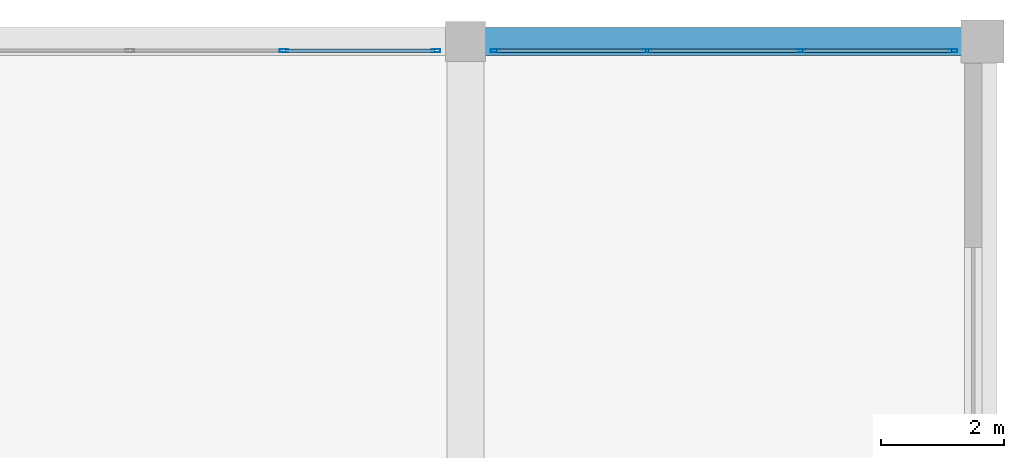
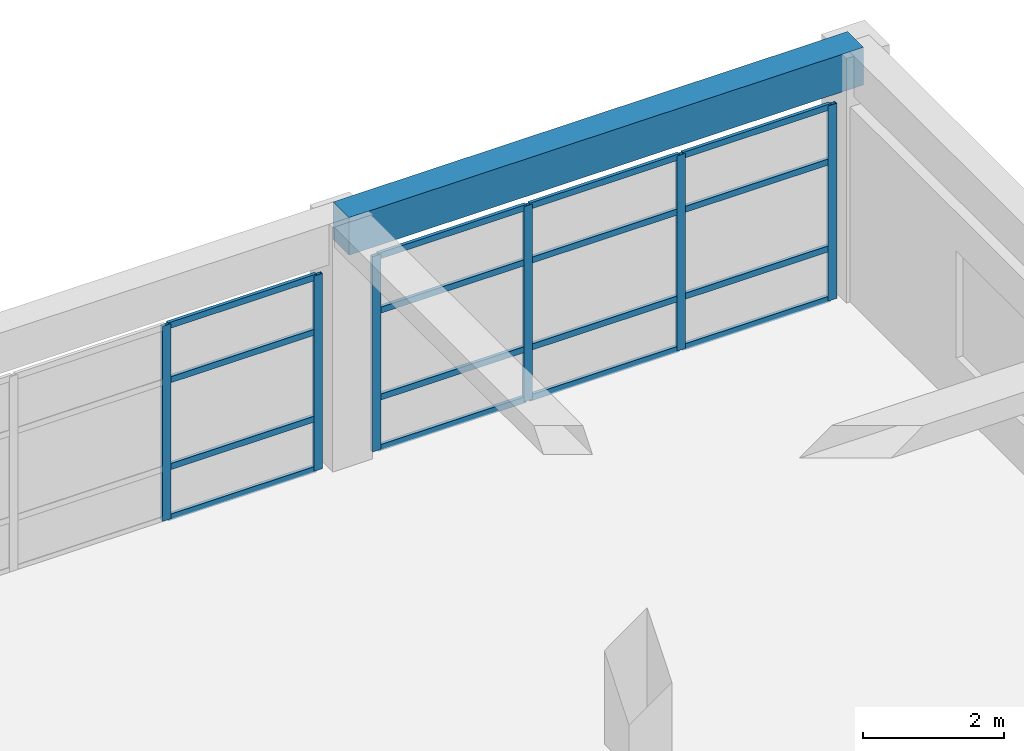
# One storey, part 64 of 85: 22 members, 1 beam, 2 elements without a shape of their own.
"""IFC4 building model written with IfcOpenShell, lengths in metres."""

from ifc_helpers import new_model, si_unit, direction, frame, origin, origin_2d, place, context, subcontext, project, spatial, rectangle, hollow_rectangle, extrude, material, material_profile, profile_set, type_object, element, aggregate, save


model = new_model("IFC4")

# Units and contexts
model_context = context("Model", 3, precision=1e-05, world=origin(), true_north=direction((0.0, 1.0)))
body_context = subcontext(model_context, "Body", "Model", "MODEL_VIEW")
ifc_project = project(units=[si_unit("LENGTHUNIT", "METRE"), si_unit("AREAUNIT", "SQUARE_METRE"), si_unit("VOLUMEUNIT", "CUBIC_METRE"), si_unit("PLANEANGLEUNIT", "RADIAN"), si_unit("MASSUNIT", "GRAM", prefix="KILO")], contexts=[model_context])

# Site, building, storey
site_placement = place(None, origin())
site = spatial("IfcSite", under=ifc_project, at=site_placement, CompositionType="ELEMENT")
building_placement = place(site_placement, origin())
building = spatial("IfcBuilding", under=site, at=building_placement, Name="Almacenes y Pasaje Nevantli", CompositionType="ELEMENT")
storey_placement = place(building_placement, frame((0.0, 0.0, 22.199951171875)))
storey = spatial("IfcBuildingStorey", under=building, at=storey_placement, Name="L05", CompositionType="ELEMENT", Elevation=22.199951171875)

# Beam
ifc_material_1 = material(Name="Concrete C35/45", Category="concrete")
ifc_material_profile_1 = material_profile(ifc_material_1, rectangle(XDim=0.449951171875, YDim=0.64990234375, at=origin_2d()), Name="RC-BM-450x650")
ifc_profile_set_1 = profile_set([ifc_material_profile_1], Name="Concrete C35/45")
beam_type = type_object("IfcBeamType", Name="BM-RC-450x650", PredefinedType="SPANDREL", material=ifc_profile_set_1)
beam_placement = place(storey_placement, frame((159.60009765625, 117.60009765625, 3.89501953125), z_axis=(1.0, 0.0, 0.0), x_axis=(0.0, 1.0, 0.0)))
element("IfcBeam", 1, at=beam_placement, inside=storey, type_object=beam_type, Name="L05 East-West Reinforced Concrete Beam #3421", PredefinedType="SPANDREL", context=body_context, shape_type="SweptSolid", body=[
    extrude(rectangle(XDim=0.449951171875, YDim=0.64990234375, at=origin_2d()), origin(), (0.0, 0.0, 1.0), 8.39990234375),
])

# Curtain wall, members
ifc_material_2 = material(Name="Thermally Broken Aluminium and Low-E Glass", Category="aluminium")
curtain_wall_type = type_object("IfcCurtainWallType", Name="CW-UNIT-PODIUM", PredefinedType="USERDEFINED", material=ifc_material_2)
curtain_wall_1_placement = place(storey_placement, origin())
curtain_wall_1 = element("IfcCurtainWall", 2, at=curtain_wall_1_placement, inside=storey, type_object=curtain_wall_type, Name="L05 Sky-Lobby North Curtain Wall Bay 19", ObjectType="UNITIZED CURTAIN WALL", PredefinedType="USERDEFINED")
ifc_material_3 = material(Name="Thermally Broken Anodized Aluminium", Category="aluminium")
ifc_material_profile_2 = material_profile(ifc_material_3, hollow_rectangle(XDim=0.054931640625, YDim=0.139892578125, WallThickness=0.00341796875, at=origin_2d()), Name="ALU-MUL-55x140")
ifc_profile_set_2 = profile_set([ifc_material_profile_2], Name="Thermally Broken Anodized Aluminium")
member_type_1 = type_object("IfcMemberType", Name="CW-MUL-160", PredefinedType="MULLION", material=ifc_profile_set_2)
member_1_placement = place(storey_placement, frame((156.64990234375, 117.449951171875, 0.0), z_axis=(0.0, 0.0, 1.0), x_axis=(0.0, 1.0, 0.0)))
member_1 = element("IfcMember", 3, at=member_1_placement, type_object=member_type_1, Name="CW-L05-092 mullion 3", PredefinedType="MULLION", context=body_context, shape_type="SweptSolid", body=[
    extrude(hollow_rectangle(XDim=0.054931640625, YDim=0.139892578125, WallThickness=0.00341796875, at=origin_2d()), origin(), (0.0, 0.0, 1.0), 3.3701171875),
])
member_2_placement = place(storey_placement, frame((159.12255859375, 117.449951171875, 0.0), z_axis=(0.0, 0.0, 1.0), x_axis=(0.0, 1.0, 0.0)))
member_2 = element("IfcMember", 4, at=member_2_placement, type_object=member_type_1, Name="CW-L05-092 mullion 4", PredefinedType="MULLION", context=body_context, shape_type="SweptSolid", body=[
    extrude(hollow_rectangle(XDim=0.054931640625, YDim=0.139892578125, WallThickness=0.00341796875, at=origin_2d()), origin(), (0.0, 0.0, 1.0), 3.3701171875),
])

curtain_wall_2_placement = place(storey_placement, origin())
curtain_wall_2 = element("IfcCurtainWall", 5, at=curtain_wall_2_placement, inside=storey, type_object=curtain_wall_type, Name="L05 Sky-Lobby North Curtain Wall Bay 20", ObjectType="UNITIZED CURTAIN WALL", PredefinedType="USERDEFINED")
member_3_placement = place(storey_placement, frame((160.077392578125, 117.449951171875, 0.0), z_axis=(0.0, 0.0, 1.0), x_axis=(0.0, 1.0, 0.0)))
member_3 = element("IfcMember", 6, at=member_3_placement, type_object=member_type_1, Name="CW-L05-094 mullion 1", PredefinedType="MULLION", context=body_context, shape_type="SweptSolid", body=[
    extrude(hollow_rectangle(XDim=0.054931640625, YDim=0.139892578125, WallThickness=0.00341796875, at=origin_2d()), origin(), (0.0, 0.0, 1.0), 3.3701171875),
])
member_4_placement = place(storey_placement, frame((162.550048828125, 117.449951171875, 0.0), z_axis=(0.0, 0.0, 1.0), x_axis=(0.0, 1.0, 0.0)))
member_4 = element("IfcMember", 7, at=member_4_placement, type_object=member_type_1, Name="CW-L05-094 mullion 2", PredefinedType="MULLION", context=body_context, shape_type="SweptSolid", body=[
    extrude(hollow_rectangle(XDim=0.054931640625, YDim=0.139892578125, WallThickness=0.00341796875, at=origin_2d()), origin(), (0.0, 0.0, 1.0), 3.3701171875),
])
member_5_placement = place(storey_placement, frame((165.050048828125, 117.449951171875, 0.0), z_axis=(0.0, 0.0, 1.0), x_axis=(0.0, 1.0, 0.0)))
member_5 = element("IfcMember", 8, at=member_5_placement, type_object=member_type_1, Name="CW-L05-094 mullion 3", PredefinedType="MULLION", context=body_context, shape_type="SweptSolid", body=[
    extrude(hollow_rectangle(XDim=0.054931640625, YDim=0.139892578125, WallThickness=0.00341796875, at=origin_2d()), origin(), (0.0, 0.0, 1.0), 3.3701171875),
])
member_6_placement = place(storey_placement, frame((167.5224609375, 117.449951171875, 0.0), z_axis=(0.0, 0.0, 1.0), x_axis=(0.0, 1.0, 0.0)))
member_6 = element("IfcMember", 9, at=member_6_placement, type_object=member_type_1, Name="CW-L05-094 mullion 4", PredefinedType="MULLION", context=body_context, shape_type="SweptSolid", body=[
    extrude(hollow_rectangle(XDim=0.054931640625, YDim=0.139892578125, WallThickness=0.00341796875, at=origin_2d()), origin(), (0.0, 0.0, 1.0), 3.3701171875),
])

# Member
ifc_material_4 = material(Name="Thermally Broken Anodized Aluminium", Category="aluminium")
ifc_material_profile_3 = material_profile(ifc_material_4, hollow_rectangle(XDim=0.054931640625, YDim=0.10498046875, WallThickness=0.003173828125, at=origin_2d()), Name="ALU-TRN-55x105")
ifc_profile_set_3 = profile_set([ifc_material_profile_3], Name="Thermally Broken Anodized Aluminium")
member_type_2 = type_object("IfcMemberType", Name="CW-TRN-120", PredefinedType="USERDEFINED", material=ifc_profile_set_3)
member_7_placement = place(storey_placement, frame((156.677490234375, 117.449951171875, 0.027587890625), z_axis=(1.0, 0.0, 0.0), x_axis=(0.0, 1.0, 0.0)))
member_7 = element("IfcMember", 10, at=member_7_placement, type_object=member_type_2, Name="CW-L05-092 transom 3.1", ObjectType="TRANSOM", PredefinedType="USERDEFINED", context=body_context, shape_type="SweptSolid", body=[
    extrude(hollow_rectangle(XDim=0.054931640625, YDim=0.10498046875, WallThickness=0.003173828125, at=origin_2d()), origin(), (0.0, 0.0, 1.0), 2.41748046875),
])

member_8_placement = place(storey_placement, frame((156.677490234375, 117.449951171875, 0.900146484375), z_axis=(1.0, 0.0, 0.0), x_axis=(0.0, 1.0, 0.0)))
member_8 = element("IfcMember", 11, at=member_8_placement, type_object=member_type_2, Name="CW-L05-092 transom 3.2", ObjectType="TRANSOM", PredefinedType="USERDEFINED", context=body_context, shape_type="SweptSolid", body=[
    extrude(hollow_rectangle(XDim=0.054931640625, YDim=0.10498046875, WallThickness=0.003173828125, at=origin_2d()), origin(), (0.0, 0.0, 1.0), 2.41748046875),
])

member_9_placement = place(storey_placement, frame((156.677490234375, 117.449951171875, 2.400146484375), z_axis=(1.0, 0.0, 0.0), x_axis=(0.0, 1.0, 0.0)))
member_9 = element("IfcMember", 12, at=member_9_placement, type_object=member_type_2, Name="CW-L05-092 transom 3.3", ObjectType="TRANSOM", PredefinedType="USERDEFINED", context=body_context, shape_type="SweptSolid", body=[
    extrude(hollow_rectangle(XDim=0.054931640625, YDim=0.10498046875, WallThickness=0.003173828125, at=origin_2d()), origin(), (0.0, 0.0, 1.0), 2.41748046875),
])

member_10_placement = place(storey_placement, frame((156.677490234375, 117.449951171875, 3.342529296875), z_axis=(1.0, 0.0, 0.0), x_axis=(0.0, 1.0, 0.0)))
member_10 = element("IfcMember", 13, at=member_10_placement, type_object=member_type_2, Name="CW-L05-092 transom 3.4", ObjectType="TRANSOM", PredefinedType="USERDEFINED", context=body_context, shape_type="SweptSolid", body=[
    extrude(hollow_rectangle(XDim=0.054931640625, YDim=0.10498046875, WallThickness=0.003173828125, at=origin_2d()), origin(), (0.0, 0.0, 1.0), 2.41748046875),
])

aggregate(curtain_wall_1, [member_1, member_2, member_7, member_8, member_9, member_10])

member_11_placement = place(storey_placement, frame((160.10498046875, 117.449951171875, 0.027587890625), z_axis=(1.0, 0.0, 0.0), x_axis=(0.0, 1.0, 0.0)))
member_11 = element("IfcMember", 14, at=member_11_placement, type_object=member_type_2, Name="CW-L05-094 transom 1.1", ObjectType="TRANSOM", PredefinedType="USERDEFINED", context=body_context, shape_type="SweptSolid", body=[
    extrude(hollow_rectangle(XDim=0.054931640625, YDim=0.10498046875, WallThickness=0.003173828125, at=origin_2d()), origin(), (0.0, 0.0, 1.0), 2.41748046875),
])

member_12_placement = place(storey_placement, frame((160.10498046875, 117.449951171875, 0.900146484375), z_axis=(1.0, 0.0, 0.0), x_axis=(0.0, 1.0, 0.0)))
member_12 = element("IfcMember", 15, at=member_12_placement, type_object=member_type_2, Name="CW-L05-094 transom 1.2", ObjectType="TRANSOM", PredefinedType="USERDEFINED", context=body_context, shape_type="SweptSolid", body=[
    extrude(hollow_rectangle(XDim=0.054931640625, YDim=0.10498046875, WallThickness=0.003173828125, at=origin_2d()), origin(), (0.0, 0.0, 1.0), 2.41748046875),
])

member_13_placement = place(storey_placement, frame((160.10498046875, 117.449951171875, 2.400146484375), z_axis=(1.0, 0.0, 0.0), x_axis=(0.0, 1.0, 0.0)))
member_13 = element("IfcMember", 16, at=member_13_placement, type_object=member_type_2, Name="CW-L05-094 transom 1.3", ObjectType="TRANSOM", PredefinedType="USERDEFINED", context=body_context, shape_type="SweptSolid", body=[
    extrude(hollow_rectangle(XDim=0.054931640625, YDim=0.10498046875, WallThickness=0.003173828125, at=origin_2d()), origin(), (0.0, 0.0, 1.0), 2.41748046875),
])

member_14_placement = place(storey_placement, frame((160.10498046875, 117.449951171875, 3.342529296875), z_axis=(1.0, 0.0, 0.0), x_axis=(0.0, 1.0, 0.0)))
member_14 = element("IfcMember", 17, at=member_14_placement, type_object=member_type_2, Name="CW-L05-094 transom 1.4", ObjectType="TRANSOM", PredefinedType="USERDEFINED", context=body_context, shape_type="SweptSolid", body=[
    extrude(hollow_rectangle(XDim=0.054931640625, YDim=0.10498046875, WallThickness=0.003173828125, at=origin_2d()), origin(), (0.0, 0.0, 1.0), 2.41748046875),
])

member_15_placement = place(storey_placement, frame((162.577392578125, 117.449951171875, 0.027587890625), z_axis=(1.0, 0.0, 0.0), x_axis=(0.0, 1.0, 0.0)))
member_15 = element("IfcMember", 18, at=member_15_placement, type_object=member_type_2, Name="CW-L05-094 transom 2.1", ObjectType="TRANSOM", PredefinedType="USERDEFINED", context=body_context, shape_type="SweptSolid", body=[
    extrude(hollow_rectangle(XDim=0.054931640625, YDim=0.10498046875, WallThickness=0.003173828125, at=origin_2d()), origin(), (0.0, 0.0, 1.0), 2.445068359375),
])

member_16_placement = place(storey_placement, frame((162.577392578125, 117.449951171875, 0.900146484375), z_axis=(1.0, 0.0, 0.0), x_axis=(0.0, 1.0, 0.0)))
member_16 = element("IfcMember", 19, at=member_16_placement, type_object=member_type_2, Name="CW-L05-094 transom 2.2", ObjectType="TRANSOM", PredefinedType="USERDEFINED", context=body_context, shape_type="SweptSolid", body=[
    extrude(hollow_rectangle(XDim=0.054931640625, YDim=0.10498046875, WallThickness=0.003173828125, at=origin_2d()), origin(), (0.0, 0.0, 1.0), 2.445068359375),
])

member_17_placement = place(storey_placement, frame((162.577392578125, 117.449951171875, 2.400146484375), z_axis=(1.0, 0.0, 0.0), x_axis=(0.0, 1.0, 0.0)))
member_17 = element("IfcMember", 20, at=member_17_placement, type_object=member_type_2, Name="CW-L05-094 transom 2.3", ObjectType="TRANSOM", PredefinedType="USERDEFINED", context=body_context, shape_type="SweptSolid", body=[
    extrude(hollow_rectangle(XDim=0.054931640625, YDim=0.10498046875, WallThickness=0.003173828125, at=origin_2d()), origin(), (0.0, 0.0, 1.0), 2.445068359375),
])

member_18_placement = place(storey_placement, frame((162.577392578125, 117.449951171875, 3.342529296875), z_axis=(1.0, 0.0, 0.0), x_axis=(0.0, 1.0, 0.0)))
member_18 = element("IfcMember", 21, at=member_18_placement, type_object=member_type_2, Name="CW-L05-094 transom 2.4", ObjectType="TRANSOM", PredefinedType="USERDEFINED", context=body_context, shape_type="SweptSolid", body=[
    extrude(hollow_rectangle(XDim=0.054931640625, YDim=0.10498046875, WallThickness=0.003173828125, at=origin_2d()), origin(), (0.0, 0.0, 1.0), 2.445068359375),
])

member_19_placement = place(storey_placement, frame((165.077392578125, 117.449951171875, 0.027587890625), z_axis=(1.0, 0.0, 0.0), x_axis=(0.0, 1.0, 0.0)))
member_19 = element("IfcMember", 22, at=member_19_placement, type_object=member_type_2, Name="CW-L05-094 transom 3.1", ObjectType="TRANSOM", PredefinedType="USERDEFINED", context=body_context, shape_type="SweptSolid", body=[
    extrude(hollow_rectangle(XDim=0.054931640625, YDim=0.10498046875, WallThickness=0.003173828125, at=origin_2d()), origin(), (0.0, 0.0, 1.0), 2.417724609375),
])

member_20_placement = place(storey_placement, frame((165.077392578125, 117.449951171875, 0.900146484375), z_axis=(1.0, 0.0, 0.0), x_axis=(0.0, 1.0, 0.0)))
member_20 = element("IfcMember", 23, at=member_20_placement, type_object=member_type_2, Name="CW-L05-094 transom 3.2", ObjectType="TRANSOM", PredefinedType="USERDEFINED", context=body_context, shape_type="SweptSolid", body=[
    extrude(hollow_rectangle(XDim=0.054931640625, YDim=0.10498046875, WallThickness=0.003173828125, at=origin_2d()), origin(), (0.0, 0.0, 1.0), 2.417724609375),
])

member_21_placement = place(storey_placement, frame((165.077392578125, 117.449951171875, 2.400146484375), z_axis=(1.0, 0.0, 0.0), x_axis=(0.0, 1.0, 0.0)))
member_21 = element("IfcMember", 24, at=member_21_placement, type_object=member_type_2, Name="CW-L05-094 transom 3.3", ObjectType="TRANSOM", PredefinedType="USERDEFINED", context=body_context, shape_type="SweptSolid", body=[
    extrude(hollow_rectangle(XDim=0.054931640625, YDim=0.10498046875, WallThickness=0.003173828125, at=origin_2d()), origin(), (0.0, 0.0, 1.0), 2.417724609375),
])

member_22_placement = place(storey_placement, frame((165.077392578125, 117.449951171875, 3.342529296875), z_axis=(1.0, 0.0, 0.0), x_axis=(0.0, 1.0, 0.0)))
member_22 = element("IfcMember", 25, at=member_22_placement, type_object=member_type_2, Name="CW-L05-094 transom 3.4", ObjectType="TRANSOM", PredefinedType="USERDEFINED", context=body_context, shape_type="SweptSolid", body=[
    extrude(hollow_rectangle(XDim=0.054931640625, YDim=0.10498046875, WallThickness=0.003173828125, at=origin_2d()), origin(), (0.0, 0.0, 1.0), 2.417724609375),
])

aggregate(curtain_wall_2, [member_3, member_4, member_5, member_6, member_11, member_12, member_13, member_14, member_15, member_16, member_17, member_18, member_19, member_20, member_21, member_22])

save(model, "model.ifc")
